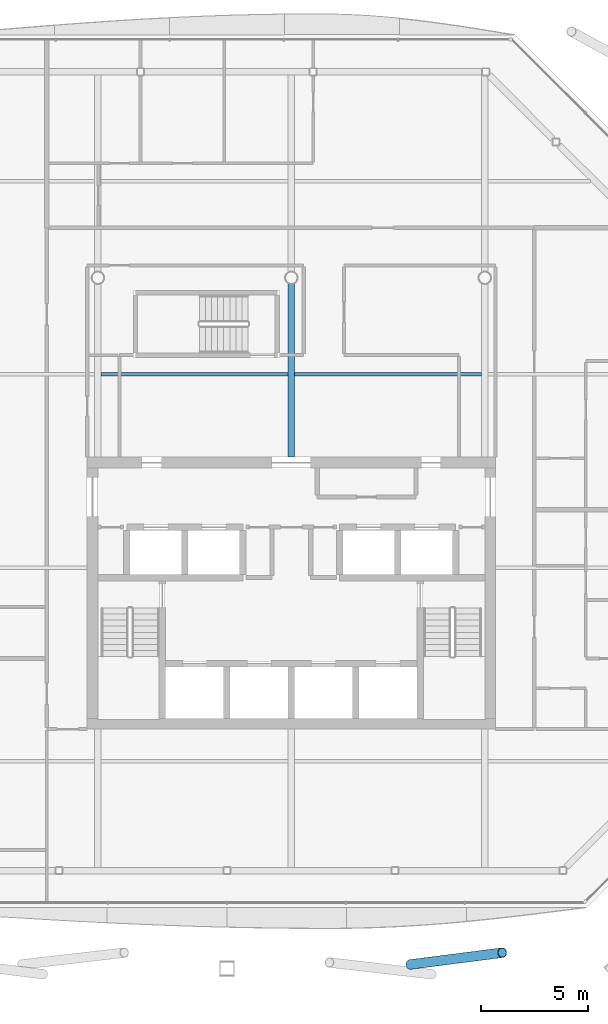
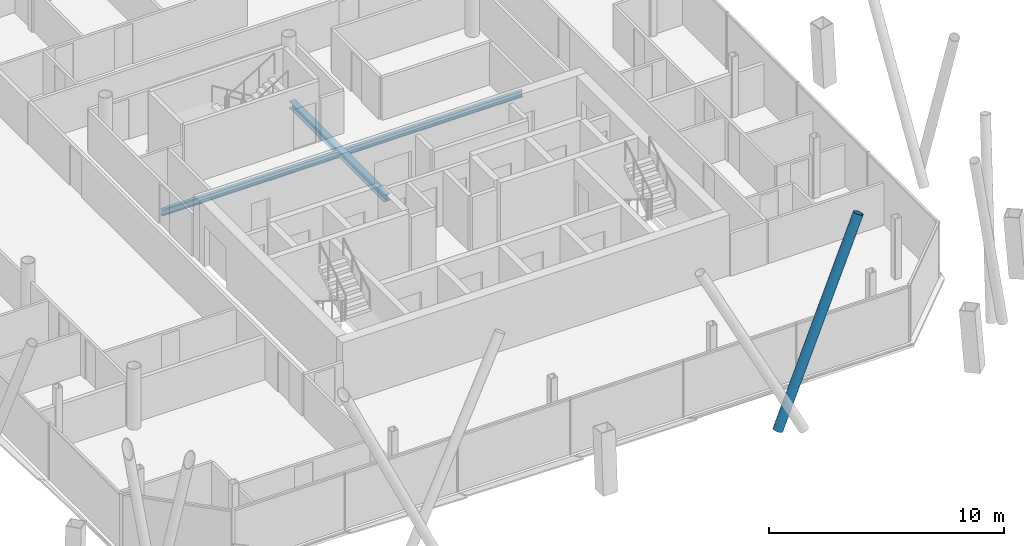
# One storey, part 6 of 19: 3 beams, 1 member.
"""IFC4 building model written with IfcOpenShell, lengths in metres."""

from ifc_helpers import new_model, si_unit, direction, frame, origin, origin_2d, place, context, subcontext, project, spatial, hollow_circle, i_section, extrude, material, material_profile, profile_set, type_object, element, save


model = new_model("IFC4")

# Units and contexts
model_context = context("Model", 3, precision=1e-05, world=origin(), true_north=direction((0.0, 1.0)))
body_context = subcontext(model_context, "Body", "Model", "MODEL_VIEW")
ifc_project = project(units=[si_unit("LENGTHUNIT", "METRE"), si_unit("AREAUNIT", "SQUARE_METRE"), si_unit("VOLUMEUNIT", "CUBIC_METRE"), si_unit("PLANEANGLEUNIT", "RADIAN"), si_unit("MASSUNIT", "GRAM", prefix="KILO")], contexts=[model_context])

# Site, building, storey
site_placement = place(None, origin())
site = spatial("IfcSite", under=ifc_project, at=site_placement, CompositionType="ELEMENT")
building_placement = place(site_placement, origin())
building = spatial("IfcBuilding", under=site, at=building_placement, Name="Tskaro Facet Tower", CompositionType="ELEMENT")
storey_placement = place(building_placement, frame((0.0, 0.0, 191.10009765625)))
storey = spatial("IfcBuildingStorey", under=building, at=storey_placement, Name="L48", CompositionType="ELEMENT", Elevation=191.10009765625)

# Member
ifc_material_1 = material(Name="Steel S355J2H", Category="steel")
ifc_material_profile_1 = material_profile(ifc_material_1, hollow_circle(Radius=0.228515625, WallThickness=0.02001953125, at=origin_2d()), Name="CHS 457x20")
ifc_profile_set_1 = profile_set([ifc_material_profile_1], Name="Steel S355J2H")
member_type = type_object("IfcMemberType", Name="CHS 457x20 brace", PredefinedType="BRACE", material=ifc_profile_set_1)
member_placement = place(storey_placement, frame((5.5419921875, -22.951904296875, 0.0), z_axis=(0.41127610555, 0.052731925503, 0.909984235598), x_axis=(-0.127174328036, 0.991880381038, 0.0)))
element("IfcMember", 1, at=member_placement, inside=storey, type_object=member_type, Name="CHS 457x20 XB02A/4", PredefinedType="BRACE", context=body_context, shape_type="SweptSolid", body=[
    extrude(hollow_circle(Radius=0.228515625, WallThickness=0.02001953125, at=origin_2d()), origin(), (0.0, 0.0, 1.0), 10.384765625),
])

# Beams
ifc_material_2 = material(Name="Steel S355J2", Category="steel")
ifc_material_profile_2 = material_profile(ifc_material_2, i_section(OverallWidth=0.300048828125, OverallDepth=0.35009765625, WebThickness=0.010009765625, FlangeThickness=0.017578125, FilletRadius=0.027099609375, at=origin_2d()), Name="HE 360 A")
ifc_profile_set_2 = profile_set([ifc_material_profile_2], Name="Steel S355J2")
beam_type_1 = type_object("IfcBeamType", Name="HE 360 A girder", PredefinedType="BEAM", material=ifc_profile_set_2)
beam_placement = place(storey_placement, frame((0.0, 0.64990234375, -0.315185546875), z_axis=(0.0, 1.0, 0.0), x_axis=(-1.0, 0.0, 0.0)))
element("IfcBeam", 2, at=beam_placement, inside=storey, type_object=beam_type_1, Name="HE 360 A GB4-2-4", PredefinedType="BEAM", context=body_context, shape_type="SweptSolid", body=[
    extrude(i_section(OverallWidth=0.300048828125, OverallDepth=0.35009765625, WebThickness=0.010009765625, FlangeThickness=0.017578125, FilletRadius=0.027099609375, at=origin_2d()), origin(), (0.0, 0.0, 1.0), 8.0751953125),
])
ifc_material_profile_3 = material_profile(ifc_material_2, i_section(OverallWidth=0.159912109375, OverallDepth=0.330078125, WebThickness=0.007568359375, FlangeThickness=0.011474609375, FilletRadius=0.01806640625, at=origin_2d()), Name="IPE 330")
ifc_profile_set_3 = profile_set([ifc_material_profile_3], Name="Steel S355J2")
beam_type_2 = type_object("IfcBeamType", Name="IPE 330 secondary beam", PredefinedType="BEAM", material=ifc_profile_set_3)
for number, where, z_axis, x_axis, name in (
    (3, (-8.85009765625, 4.5, -0.30517578125), (1.0, 0.0, 0.0), (0.0, 1.0, 0.0), "IPE 330 SB4a-3-4"),
    (4, (0.14990234375, 4.5, -0.30517578125), (1.0, 0.0, 0.0), (0.0, 1.0, 0.0), "IPE 330 SB4a-4-4"),
):
    element("IfcBeam", number, at=place(storey_placement, frame(where, z_axis=z_axis, x_axis=x_axis)), inside=storey, type_object=beam_type_2, Name=name, PredefinedType="BEAM", context=body_context, shape_type="SweptSolid", body=[
        extrude(i_section(OverallWidth=0.159912109375, OverallDepth=0.330078125, WebThickness=0.007568359375, FlangeThickness=0.011474609375, FilletRadius=0.01806640625, at=origin_2d()), origin(), (0.0, 0.0, 1.0), 8.7001953125),
    ])

save(model, "model.ifc")
